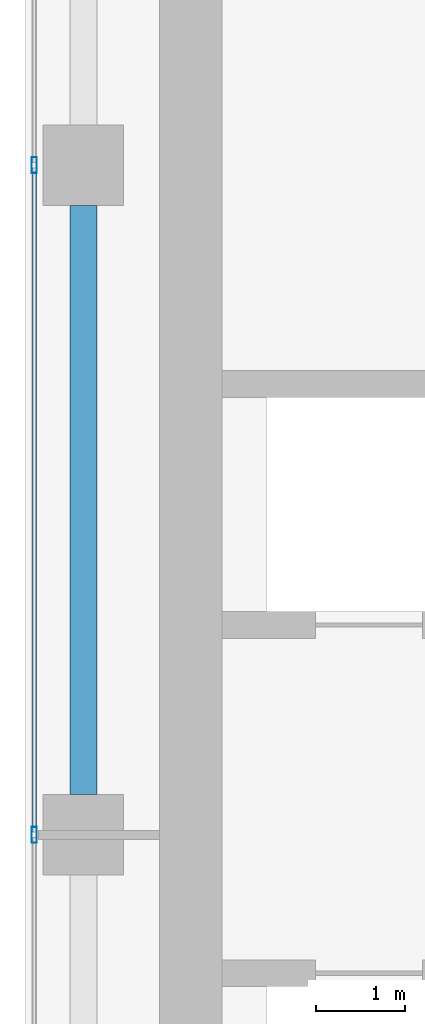
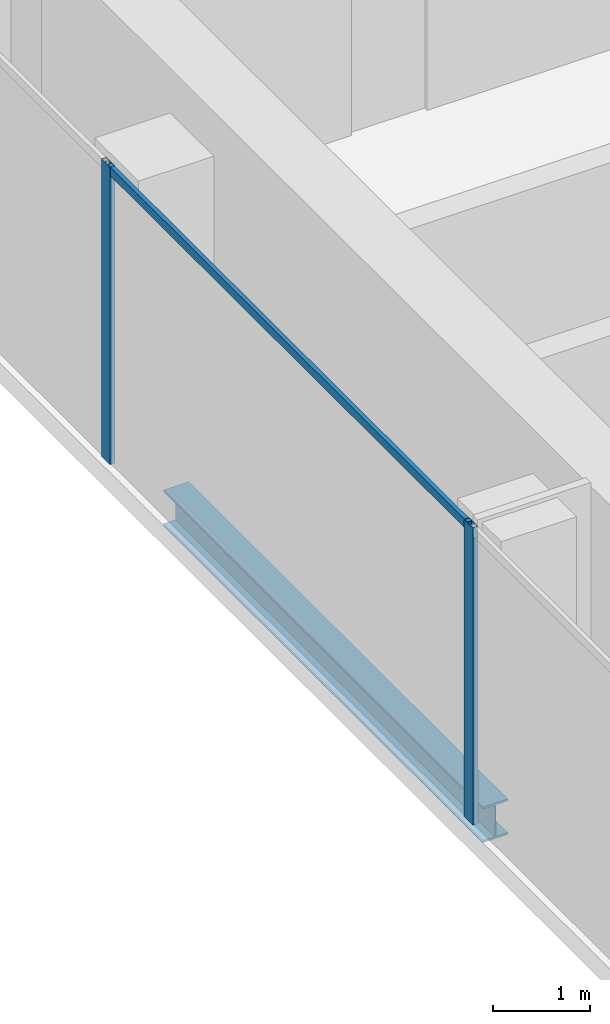
# One storey, part 8 of 36: 3 members, 1 beam, 1 element without a shape of its own.
"""IFC4 building model written with IfcOpenShell, lengths in metres."""

from ifc_helpers import new_model, si_unit, direction, frame, origin, origin_2d, place, context, subcontext, project, spatial, hollow_rectangle, i_section, extrude, source, transform, mapped, material, material_profile, profile_set, type_object, element, aggregate, save


model = new_model("IFC4")

# Units and contexts
model_context = context("Model", 3, precision=1e-05, world=origin(), true_north=direction((0.0, 1.0)))
body_context = subcontext(model_context, "Body", "Model", "MODEL_VIEW")
ifc_project = project(units=[si_unit("LENGTHUNIT", "METRE"), si_unit("AREAUNIT", "SQUARE_METRE"), si_unit("VOLUMEUNIT", "CUBIC_METRE"), si_unit("PLANEANGLEUNIT", "RADIAN"), si_unit("MASSUNIT", "GRAM", prefix="KILO")], contexts=[model_context])

# Site, building, storey
site_placement = place(None, origin())
site = spatial("IfcSite", under=ifc_project, at=site_placement, CompositionType="ELEMENT")
building_placement = place(site_placement, origin())
building = spatial("IfcBuilding", under=site, at=building_placement, Name="Khomas Fold Tower", CompositionType="ELEMENT")
storey_placement = place(building_placement, frame((0.0, 0.0, 230.199951171875)))
storey = spatial("IfcBuildingStorey", under=building, at=storey_placement, Name="L51", CompositionType="ELEMENT", Elevation=230.199951171875)

# Beam
ifc_material_1 = material(Name="Steel S355", Category="steel")
ifc_material_profile_1 = material_profile(ifc_material_1, i_section(OverallWidth=0.300048828125, OverallDepth=0.449951171875, WebThickness=0.013916015625, FlangeThickness=0.02587890625, at=origin_2d()), Name="HE 450 B")
ifc_profile_set_1 = profile_set([ifc_material_profile_1], Name="Steel S355")
beam_type = type_object("IfcBeamType", Name="HE 450 B spandrel SB4", PredefinedType="SPANDREL", material=ifc_profile_set_1)
shared_shape_1 = source(origin(), body_context, "Body", "SweptSolid", [
    extrude(i_section(OverallWidth=0.300048828125, OverallDepth=0.449951171875, WebThickness=0.013916015625, FlangeThickness=0.02587890625, at=origin_2d()), origin(), (0.0, 0.0, 1.0), 6.60009765625),
])
beam_placement = place(storey_placement, frame((5.14990234375, 27.449951171875, -0.474853515625), z_axis=(0.0, 1.0, 0.0), x_axis=(-1.0, 0.0, 0.0)))
element("IfcBeam", 1, at=beam_placement, inside=storey, type_object=beam_type, Name="SB4", PredefinedType="SPANDREL", context=body_context, shape_type="MappedRepresentation", body=[
    mapped(shared_shape_1, transform((0.0, 0.0, 0.0))),
])

# Curtain wall, members
ifc_material_2 = material(Name="Aluminium framed double glazing", Category="aluminium")
curtain_wall_type = type_object("IfcCurtainWallType", Name="SK-Unitised clear-glass wall, office floors CW2", PredefinedType="NOTDEFINED", material=ifc_material_2)
curtain_wall_placement = place(storey_placement, origin())
curtain_wall = element("IfcCurtainWall", 2, at=curtain_wall_placement, inside=storey, type_object=curtain_wall_type, Name="CW2 run L51 09-0", PredefinedType="NOTDEFINED")
ifc_material_3 = material(Name="Aluminium", Category="aluminium")
ifc_material_profile_2 = material_profile(ifc_material_3, hollow_rectangle(XDim=0.06005859375, YDim=0.179931640625, WallThickness=0.00390625, at=origin_2d()), Name="SK-Unitised clear-glass wall, office floors mullion CW2-M")
ifc_profile_set_2 = profile_set([ifc_material_profile_2], Name="Aluminium")
member_type_1 = type_object("IfcMemberType", Name="SK-Unitised clear-glass wall, office floors mullion CW2-M", PredefinedType="MULLION", material=ifc_profile_set_2)
shared_shape_2 = source(origin(), body_context, "Body", "SweptSolid", [
    extrude(hollow_rectangle(XDim=0.06005859375, YDim=0.179931640625, WallThickness=0.00390625, at=origin_2d()), origin(), (0.0, 0.0, 1.0), 3.75),
])
member_1_placement = place(storey_placement, frame((4.60009765625, 34.5, 0.0), z_axis=(0.0, 0.0, 1.0), x_axis=(1.0, 0.0, 0.0)))
member_1 = element("IfcMember", 3, at=member_1_placement, type_object=member_type_1, Name="CW2 mullion 3", PredefinedType="MULLION", context=body_context, shape_type="MappedRepresentation", body=[
    mapped(shared_shape_2, transform((0.0, 0.0, 0.0))),
])
member_2_placement = place(storey_placement, frame((4.60009765625, 27.0, 0.0), z_axis=(0.0, 0.0, 1.0), x_axis=(1.0, 0.0, 0.0)))
member_2 = element("IfcMember", 4, at=member_2_placement, type_object=member_type_1, Name="CW2 mullion 4", PredefinedType="MULLION", context=body_context, shape_type="MappedRepresentation", body=[
    mapped(shared_shape_2, transform((0.0, 0.0, 0.0))),
])
ifc_material_4 = material(Name="Aluminium", Category="aluminium")
ifc_material_profile_3 = material_profile(ifc_material_4, hollow_rectangle(XDim=0.050048828125, YDim=0.110107421875, WallThickness=0.00390625, at=origin_2d()), Name="SK-Unitised clear-glass wall, office floors transom CW2-T")
ifc_profile_set_3 = profile_set([ifc_material_profile_3], Name="Aluminium")
member_type_2 = type_object("IfcMemberType", Name="SK-Unitised clear-glass wall, office floors transom CW2-T", PredefinedType="USERDEFINED", material=ifc_profile_set_3)
shared_shape_3 = source(origin(), body_context, "Body", "SweptSolid", [
    extrude(hollow_rectangle(XDim=0.050048828125, YDim=0.110107421875, WallThickness=0.00390625, at=origin_2d()), origin(), (0.0, 0.0, 1.0), 7.43994140625),
])
member_3_placement = place(storey_placement, frame((4.60009765625, 34.469970703125, 3.695068359375), z_axis=(0.0, -1.0, 0.0), x_axis=(1.0, 0.0, 0.0)))
member_3 = element("IfcMember", 5, at=member_3_placement, type_object=member_type_2, Name="CW2 transom 3", ObjectType="TRANSOM", PredefinedType="USERDEFINED", context=body_context, shape_type="MappedRepresentation", body=[
    mapped(shared_shape_3, transform((0.0, 0.0, 0.0))),
])
aggregate(curtain_wall, [member_1, member_2, member_3])

save(model, "model.ifc")
